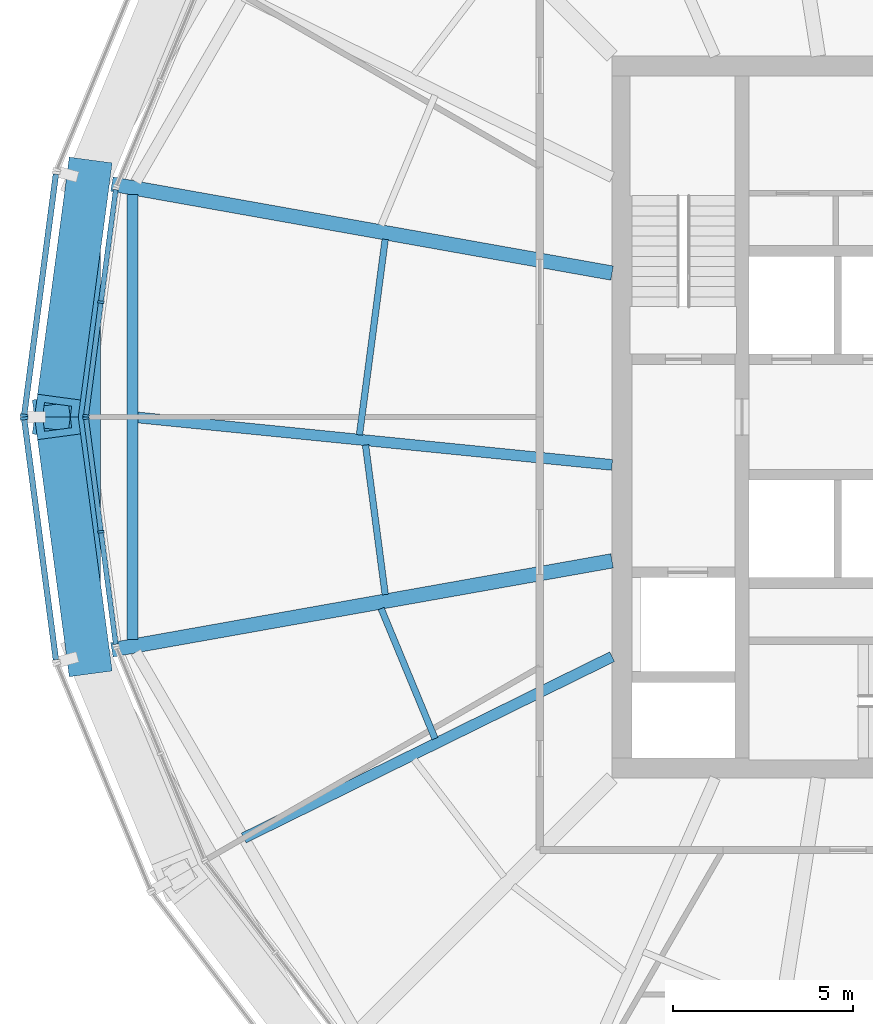
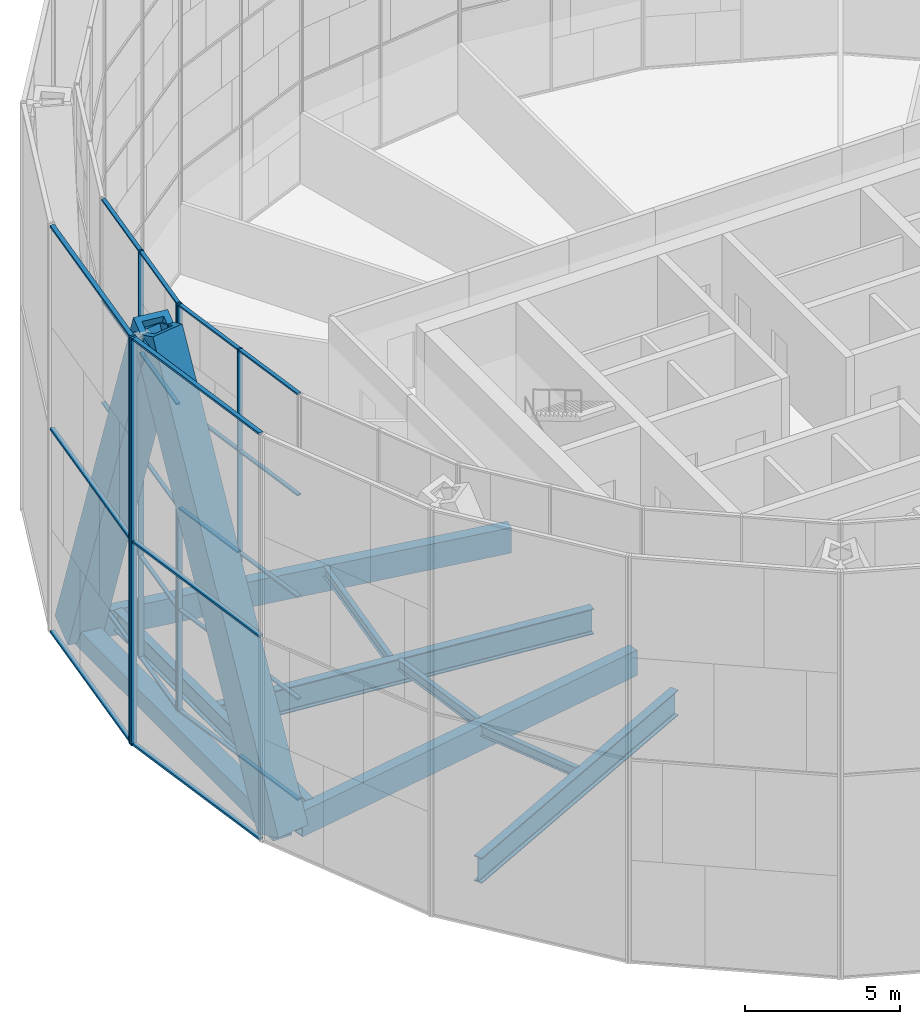
# One storey, part 4 of 30: 34 members, 9 beams, 4 elements without a shape of their own.
"""IFC4 building model written with IfcOpenShell, lengths in metres."""

from ifc_helpers import new_model, si_unit, direction, frame, origin, origin_2d, place, context, subcontext, project, spatial, rectangle, hollow_rectangle, i_section, extrude, material, material_profile, profile_set, type_object, element, aggregate, save


model = new_model("IFC4")

# Units and contexts
model_context = context("Model", 3, precision=1e-05, world=origin(), true_north=direction((0.0, 1.0)))
body_context = subcontext(model_context, "Body", "Model", "MODEL_VIEW")
ifc_project = project(units=[si_unit("LENGTHUNIT", "METRE"), si_unit("AREAUNIT", "SQUARE_METRE"), si_unit("VOLUMEUNIT", "CUBIC_METRE"), si_unit("PLANEANGLEUNIT", "RADIAN"), si_unit("MASSUNIT", "GRAM", prefix="KILO")], contexts=[model_context])

# Site, building, storey
site_placement = place(None, origin())
site = spatial("IfcSite", under=ifc_project, at=site_placement, CompositionType="ELEMENT")
building_placement = place(site_placement, origin())
building = spatial("IfcBuilding", under=site, at=building_placement, Name="Golbaran Civic Tower", CompositionType="ELEMENT")
storey_placement = place(building_placement, frame((0.0, 0.0, 102.0)))
storey = spatial("IfcBuildingStorey", under=building, at=storey_placement, Name="L24", CompositionType="ELEMENT", Elevation=102.0)

# Members
ifc_material_1 = material(Name="Steel S355", Category="steel")
ifc_material_profile_1 = material_profile(ifc_material_1, hollow_rectangle(XDim=1.199951171875, YDim=1.199951171875, WallThickness=0.219970703125, at=origin_2d()), Name="BOX 1200x1200x220")
ifc_profile_set_1 = profile_set([ifc_material_profile_1], Name="Steel S355")
member_type_1 = type_object("IfcMemberType", Name="DIAGRID DIAGONAL BOX 1200x1200x220", PredefinedType="BRACE", material=ifc_profile_set_1)
for number, where, z_axis, x_axis, name in (
    (1, (-24.51611328125, 6.569091796875, -0.7099609375), (-0.050637494414, -0.379315997273, 0.923880521697), (0.991206653617, -0.132322975426, 0.0), "Diagonal D05-05R L24-L28"),
    (2, (-24.51611328125, -6.569091796875, -0.7099609375), (-0.050637494414, 0.379315997273, 0.923880521697), (-0.991206653617, -0.132322975426, 0.0), "Diagonal D05-06L L24-L28"),
):
    element("IfcMember", number, at=place(storey_placement, frame(where, z_axis=z_axis, x_axis=x_axis)), inside=storey, type_object=member_type_1, Name=name, PredefinedType="BRACE", context=body_context, shape_type="SweptSolid", body=[
        extrude(hollow_rectangle(XDim=1.199951171875, YDim=1.199951171875, WallThickness=0.219970703125, at=origin_2d()), origin(), (0.0, 0.0, 1.0), 17.318359375),
    ])

# Beams
ifc_material_profile_2 = material_profile(ifc_material_1, hollow_rectangle(XDim=0.699951171875, YDim=0.699951171875, WallThickness=0.080078125, at=origin_2d()), Name="BOX 700x700x80")
ifc_profile_set_2 = profile_set([ifc_material_profile_2], Name="Steel S355")
beam_type_1 = type_object("IfcBeamType", Name="DIAGRID RING TIE BOX 700x700x80", PredefinedType="BEAM", material=ifc_profile_set_2)
beam_1_placement = place(storey_placement, frame((-24.51611328125, 6.569091796875, -0.7099609375), z_axis=(0.0, -1.0, 0.0), x_axis=(1.0, 0.0, 0.0)))
element("IfcBeam", 3, at=beam_1_placement, inside=storey, type_object=beam_type_1, Name="Ring tie 165.00 L24", PredefinedType="BEAM", context=body_context, shape_type="SweptSolid", body=[
    extrude(hollow_rectangle(XDim=0.699951171875, YDim=0.699951171875, WallThickness=0.080078125, at=origin_2d()), origin(), (0.0, 0.0, 1.0), 13.13818359375),
])
ifc_material_profile_3 = material_profile(ifc_material_1, i_section(OverallWidth=0.300048828125, OverallDepth=0.800048828125, WebThickness=0.017578125, FlangeThickness=0.032958984375, FilletRadius=0.030029296875, at=origin_2d()), Name="HEB 800")
ifc_profile_set_3 = profile_set([ifc_material_profile_3], Name="Steel S355")
beam_type_2 = type_object("IfcBeamType", Name="EDGE BEAM HEB 800", PredefinedType="BEAM", material=ifc_profile_set_3)
beam_2_placement = place(storey_placement, frame((-23.287353515625, 6.16748046875, -0.60009765625), z_axis=(0.0, -1.0, 0.0), x_axis=(1.0, 0.0, 0.0)))
element("IfcBeam", 4, at=beam_2_placement, inside=storey, type_object=beam_type_2, Name="Edge beam 165.00 L24", PredefinedType="BEAM", context=body_context, shape_type="SweptSolid", body=[
    extrude(i_section(OverallWidth=0.300048828125, OverallDepth=0.800048828125, WebThickness=0.017578125, FlangeThickness=0.032958984375, FilletRadius=0.030029296875, at=origin_2d()), origin(), (0.0, 0.0, 1.0), 12.3349609375),
])
ifc_material_profile_4 = material_profile(ifc_material_1, i_section(OverallWidth=0.179931640625, OverallDepth=0.39990234375, WebThickness=0.008544921875, FlangeThickness=0.013427734375, FilletRadius=0.02099609375, at=origin_2d()), Name="IPE 400")
ifc_profile_set_4 = profile_set([ifc_material_profile_4], Name="Steel S355")
beam_type_3 = type_object("IfcBeamType", Name="FLOOR INFILL BEAM IPE 400", PredefinedType="BEAM", material=ifc_profile_set_4)
beam_3_placement = place(storey_placement, frame((-16.2841796875, 4.92138671875, -0.39990234375), z_axis=(-0.13054578094, -0.991442282273, 0.0), x_axis=(0.991442282273, -0.13054578094, 0.0)))
element("IfcBeam", 5, at=beam_3_placement, inside=storey, type_object=beam_type_3, Name="Infill beam 172.50 L24", PredefinedType="BEAM", context=body_context, shape_type="SweptSolid", body=[
    extrude(i_section(OverallWidth=0.179931640625, OverallDepth=0.39990234375, WebThickness=0.008544921875, FlangeThickness=0.013427734375, FilletRadius=0.02099609375, at=origin_2d()), origin(), (0.0, 0.0, 1.0), 5.466552734375),
])
beam_4_placement = place(storey_placement, frame((-16.830078125, -0.7763671875, -0.39990234375), z_axis=(0.130572336197, -0.991438785312, 0.0), x_axis=(0.991438785312, 0.130572336197, 0.0)))
element("IfcBeam", 6, at=beam_4_placement, inside=storey, type_object=beam_type_3, Name="Infill beam 187.50 L24", PredefinedType="BEAM", context=body_context, shape_type="SweptSolid", body=[
    extrude(i_section(OverallWidth=0.179931640625, OverallDepth=0.39990234375, WebThickness=0.008544921875, FlangeThickness=0.013427734375, FilletRadius=0.02099609375, at=origin_2d()), origin(), (0.0, 0.0, 1.0), 4.180908203125),
])
beam_5_placement = place(storey_placement, frame((-16.39794921875, -5.30712890625, -0.39990234375), z_axis=(0.382690736062, -0.923876507187, 0.0), x_axis=(0.923876507187, 0.382690736062, 0.0)))
element("IfcBeam", 7, at=beam_5_placement, inside=storey, type_object=beam_type_3, Name="Infill beam 202.50 L24", PredefinedType="BEAM", context=body_context, shape_type="SweptSolid", body=[
    extrude(i_section(OverallWidth=0.179931640625, OverallDepth=0.39990234375, WebThickness=0.008544921875, FlangeThickness=0.013427734375, FilletRadius=0.02099609375, at=origin_2d()), origin(), (0.0, 0.0, 1.0), 3.90185546875),
])

# Curtain wall, members
ifc_material_2 = material(Name="Aluminium and glass", Category="aluminium")
curtain_wall_type_1 = type_object("IfcCurtainWallType", Name="INNER SKIN CURTAIN WALL", PredefinedType="NOTDEFINED", material=ifc_material_2)
curtain_wall_1_placement = place(storey_placement, origin())
curtain_wall_1 = element("IfcCurtainWall", 8, at=curtain_wall_1_placement, inside=storey, type_object=curtain_wall_type_1, Name="Inner skin L24 facet 12 CW1", ObjectType="INNER SKIN", PredefinedType="USERDEFINED")
ifc_material_3 = material(Name="Aluminium", Category="aluminium")
ifc_material_profile_5 = material_profile(ifc_material_3, rectangle(XDim=0.179931640625, YDim=0.06494140625, at=origin_2d()), Name="INNER SKIN CURTAIN WALL MULLION")
ifc_profile_set_5 = profile_set([ifc_material_profile_5], Name="Aluminium")
member_type_2 = type_object("IfcMemberType", Name="INNER SKIN CURTAIN WALL MULLION", PredefinedType="MULLION", material=ifc_profile_set_5)
member_1_placement = place(storey_placement, frame((-24.1591796875, 3.1806640625, 0.0), z_axis=(0.0, 0.0, 1.0), x_axis=(0.991444861385, -0.130526192134, 0.0)))
member_1 = element("IfcMember", 9, at=member_1_placement, type_object=member_type_2, Name="CW1 mullion 2", PredefinedType="MULLION", context=body_context, shape_type="SweptSolid", body=[
    extrude(rectangle(XDim=0.179931640625, YDim=0.06494140625, at=origin_2d()), origin(), (0.0, 0.0, 1.0), 16.0),
])
member_2_placement = place(storey_placement, frame((-24.57373046875, 0.0322265625, 0.0), z_axis=(0.0, 0.0, 1.0), x_axis=(0.991444861385, -0.130526192134, 0.0)))
member_2 = element("IfcMember", 10, at=member_2_placement, type_object=member_type_2, Name="CW1 mullion 3", PredefinedType="MULLION", context=body_context, shape_type="SweptSolid", body=[
    extrude(rectangle(XDim=0.179931640625, YDim=0.06494140625, at=origin_2d()), origin(), (0.0, 0.0, 1.0), 16.0),
])

curtain_wall_2_placement = place(storey_placement, origin())
curtain_wall_2 = element("IfcCurtainWall", 11, at=curtain_wall_2_placement, inside=storey, type_object=curtain_wall_type_1, Name="Inner skin L24 facet 13 CW1", ObjectType="INNER SKIN", PredefinedType="USERDEFINED")
member_3_placement = place(storey_placement, frame((-24.57373046875, -0.0322265625, 0.0), z_axis=(0.0, 0.0, 1.0), x_axis=(0.991444861385, 0.130526192134, 0.0)))
member_3 = element("IfcMember", 12, at=member_3_placement, type_object=member_type_2, Name="CW1 mullion 1", PredefinedType="MULLION", context=body_context, shape_type="SweptSolid", body=[
    extrude(rectangle(XDim=0.179931640625, YDim=0.06494140625, at=origin_2d()), origin(), (0.0, 0.0, 1.0), 16.0),
])
member_4_placement = place(storey_placement, frame((-24.1591796875, -3.1806640625, 0.0), z_axis=(0.0, 0.0, 1.0), x_axis=(0.991444861385, 0.130526192134, 0.0)))
member_4 = element("IfcMember", 13, at=member_4_placement, type_object=member_type_2, Name="CW1 mullion 2", PredefinedType="MULLION", context=body_context, shape_type="SweptSolid", body=[
    extrude(rectangle(XDim=0.179931640625, YDim=0.06494140625, at=origin_2d()), origin(), (0.0, 0.0, 1.0), 16.0),
])

# Member
ifc_material_profile_6 = material_profile(ifc_material_3, rectangle(XDim=0.139892578125, YDim=0.06494140625, at=origin_2d()), Name="INNER SKIN CURTAIN WALL TRANSOM")
ifc_profile_set_6 = profile_set([ifc_material_profile_6], Name="Aluminium")
member_type_3 = type_object("IfcMemberType", Name="INNER SKIN CURTAIN WALL TRANSOM", PredefinedType="USERDEFINED", material=ifc_profile_set_6)
member_5_placement = place(storey_placement, frame((-23.7490234375, 6.296875, 0.032470703125), z_axis=(-0.130523542167, -0.991445210256, 0.0), x_axis=(0.991445210256, -0.130523542167, 0.0)))
member_5 = element("IfcMember", 14, at=member_5_placement, type_object=member_type_3, Name="CW1 transom 1.1", ObjectType="TRANSOM", PredefinedType="USERDEFINED", context=body_context, shape_type="SweptSolid", body=[
    extrude(rectangle(XDim=0.139892578125, YDim=0.06494140625, at=origin_2d()), origin(), (0.0, 0.0, 1.0), 3.110595703125),
])

member_6_placement = place(storey_placement, frame((-23.7490234375, 6.296875, 4.0), z_axis=(-0.130523542167, -0.991445210256, 0.0), x_axis=(0.991445210256, -0.130523542167, 0.0)))
member_6 = element("IfcMember", 15, at=member_6_placement, type_object=member_type_3, Name="CW1 transom 1.2", ObjectType="TRANSOM", PredefinedType="USERDEFINED", context=body_context, shape_type="SweptSolid", body=[
    extrude(rectangle(XDim=0.139892578125, YDim=0.06494140625, at=origin_2d()), origin(), (0.0, 0.0, 1.0), 3.110595703125),
])

member_7_placement = place(storey_placement, frame((-23.7490234375, 6.296875, 8.0), z_axis=(-0.130523542167, -0.991445210256, 0.0), x_axis=(0.991445210256, -0.130523542167, 0.0)))
member_7 = element("IfcMember", 16, at=member_7_placement, type_object=member_type_3, Name="CW1 transom 1.3", ObjectType="TRANSOM", PredefinedType="USERDEFINED", context=body_context, shape_type="SweptSolid", body=[
    extrude(rectangle(XDim=0.139892578125, YDim=0.06494140625, at=origin_2d()), origin(), (0.0, 0.0, 1.0), 3.110595703125),
])

member_8_placement = place(storey_placement, frame((-23.7490234375, 6.296875, 12.0), z_axis=(-0.130523542167, -0.991445210256, 0.0), x_axis=(0.991445210256, -0.130523542167, 0.0)))
member_8 = element("IfcMember", 17, at=member_8_placement, type_object=member_type_3, Name="CW1 transom 1.4", ObjectType="TRANSOM", PredefinedType="USERDEFINED", context=body_context, shape_type="SweptSolid", body=[
    extrude(rectangle(XDim=0.139892578125, YDim=0.06494140625, at=origin_2d()), origin(), (0.0, 0.0, 1.0), 3.110595703125),
])

member_9_placement = place(storey_placement, frame((-23.7490234375, 6.296875, 15.967529296875), z_axis=(-0.130523542167, -0.991445210256, 0.0), x_axis=(0.991445210256, -0.130523542167, 0.0)))
member_9 = element("IfcMember", 18, at=member_9_placement, type_object=member_type_3, Name="CW1 transom 1.5", ObjectType="TRANSOM", PredefinedType="USERDEFINED", context=body_context, shape_type="SweptSolid", body=[
    extrude(rectangle(XDim=0.139892578125, YDim=0.06494140625, at=origin_2d()), origin(), (0.0, 0.0, 1.0), 3.110595703125),
])

member_10_placement = place(storey_placement, frame((-24.16357421875, 3.1484375, 0.032470703125), z_axis=(-0.130523542167, -0.991445210256, 0.0), x_axis=(0.991445210256, -0.130523542167, 0.0)))
member_10 = element("IfcMember", 19, at=member_10_placement, type_object=member_type_3, Name="CW1 transom 2.1", ObjectType="TRANSOM", PredefinedType="USERDEFINED", context=body_context, shape_type="SweptSolid", body=[
    extrude(rectangle(XDim=0.139892578125, YDim=0.06494140625, at=origin_2d()), origin(), (0.0, 0.0, 1.0), 3.110595703125),
])

member_11_placement = place(storey_placement, frame((-24.16357421875, 3.1484375, 4.0), z_axis=(-0.130523542167, -0.991445210256, 0.0), x_axis=(0.991445210256, -0.130523542167, 0.0)))
member_11 = element("IfcMember", 20, at=member_11_placement, type_object=member_type_3, Name="CW1 transom 2.2", ObjectType="TRANSOM", PredefinedType="USERDEFINED", context=body_context, shape_type="SweptSolid", body=[
    extrude(rectangle(XDim=0.139892578125, YDim=0.06494140625, at=origin_2d()), origin(), (0.0, 0.0, 1.0), 3.110595703125),
])

member_12_placement = place(storey_placement, frame((-24.16357421875, 3.1484375, 8.0), z_axis=(-0.130523542167, -0.991445210256, 0.0), x_axis=(0.991445210256, -0.130523542167, 0.0)))
member_12 = element("IfcMember", 21, at=member_12_placement, type_object=member_type_3, Name="CW1 transom 2.3", ObjectType="TRANSOM", PredefinedType="USERDEFINED", context=body_context, shape_type="SweptSolid", body=[
    extrude(rectangle(XDim=0.139892578125, YDim=0.06494140625, at=origin_2d()), origin(), (0.0, 0.0, 1.0), 3.110595703125),
])

member_13_placement = place(storey_placement, frame((-24.16357421875, 3.1484375, 12.0), z_axis=(-0.130523542167, -0.991445210256, 0.0), x_axis=(0.991445210256, -0.130523542167, 0.0)))
member_13 = element("IfcMember", 22, at=member_13_placement, type_object=member_type_3, Name="CW1 transom 2.4", ObjectType="TRANSOM", PredefinedType="USERDEFINED", context=body_context, shape_type="SweptSolid", body=[
    extrude(rectangle(XDim=0.139892578125, YDim=0.06494140625, at=origin_2d()), origin(), (0.0, 0.0, 1.0), 3.110595703125),
])

member_14_placement = place(storey_placement, frame((-24.16357421875, 3.1484375, 15.967529296875), z_axis=(-0.130523542167, -0.991445210256, 0.0), x_axis=(0.991445210256, -0.130523542167, 0.0)))
member_14 = element("IfcMember", 23, at=member_14_placement, type_object=member_type_3, Name="CW1 transom 2.5", ObjectType="TRANSOM", PredefinedType="USERDEFINED", context=body_context, shape_type="SweptSolid", body=[
    extrude(rectangle(XDim=0.139892578125, YDim=0.06494140625, at=origin_2d()), origin(), (0.0, 0.0, 1.0), 3.110595703125),
])

aggregate(curtain_wall_1, [member_1, member_2, member_5, member_6, member_7, member_8, member_9, member_10, member_11, member_12, member_13, member_14])

member_15_placement = place(storey_placement, frame((-24.569580078125, -0.064453125, 0.032470703125), z_axis=(0.130523542167, -0.991445210256, 0.0), x_axis=(0.991445210256, 0.130523542167, 0.0)))
member_15 = element("IfcMember", 24, at=member_15_placement, type_object=member_type_3, Name="CW1 transom 1.1", ObjectType="TRANSOM", PredefinedType="USERDEFINED", context=body_context, shape_type="SweptSolid", body=[
    extrude(rectangle(XDim=0.139892578125, YDim=0.06494140625, at=origin_2d()), origin(), (0.0, 0.0, 1.0), 3.110595703125),
])

member_16_placement = place(storey_placement, frame((-24.569580078125, -0.064453125, 4.0), z_axis=(0.130523542167, -0.991445210256, 0.0), x_axis=(0.991445210256, 0.130523542167, 0.0)))
member_16 = element("IfcMember", 25, at=member_16_placement, type_object=member_type_3, Name="CW1 transom 1.2", ObjectType="TRANSOM", PredefinedType="USERDEFINED", context=body_context, shape_type="SweptSolid", body=[
    extrude(rectangle(XDim=0.139892578125, YDim=0.06494140625, at=origin_2d()), origin(), (0.0, 0.0, 1.0), 3.110595703125),
])

member_17_placement = place(storey_placement, frame((-24.569580078125, -0.064453125, 8.0), z_axis=(0.130523542167, -0.991445210256, 0.0), x_axis=(0.991445210256, 0.130523542167, 0.0)))
member_17 = element("IfcMember", 26, at=member_17_placement, type_object=member_type_3, Name="CW1 transom 1.3", ObjectType="TRANSOM", PredefinedType="USERDEFINED", context=body_context, shape_type="SweptSolid", body=[
    extrude(rectangle(XDim=0.139892578125, YDim=0.06494140625, at=origin_2d()), origin(), (0.0, 0.0, 1.0), 3.110595703125),
])

member_18_placement = place(storey_placement, frame((-24.569580078125, -0.064453125, 12.0), z_axis=(0.130523542167, -0.991445210256, 0.0), x_axis=(0.991445210256, 0.130523542167, 0.0)))
member_18 = element("IfcMember", 27, at=member_18_placement, type_object=member_type_3, Name="CW1 transom 1.4", ObjectType="TRANSOM", PredefinedType="USERDEFINED", context=body_context, shape_type="SweptSolid", body=[
    extrude(rectangle(XDim=0.139892578125, YDim=0.06494140625, at=origin_2d()), origin(), (0.0, 0.0, 1.0), 3.110595703125),
])

member_19_placement = place(storey_placement, frame((-24.569580078125, -0.064453125, 15.967529296875), z_axis=(0.130523542167, -0.991445210256, 0.0), x_axis=(0.991445210256, 0.130523542167, 0.0)))
member_19 = element("IfcMember", 28, at=member_19_placement, type_object=member_type_3, Name="CW1 transom 1.5", ObjectType="TRANSOM", PredefinedType="USERDEFINED", context=body_context, shape_type="SweptSolid", body=[
    extrude(rectangle(XDim=0.139892578125, YDim=0.06494140625, at=origin_2d()), origin(), (0.0, 0.0, 1.0), 3.110595703125),
])

member_20_placement = place(storey_placement, frame((-24.155029296875, -3.212890625, 0.032470703125), z_axis=(0.130523542167, -0.991445210256, 0.0), x_axis=(0.991445210256, 0.130523542167, 0.0)))
member_20 = element("IfcMember", 29, at=member_20_placement, type_object=member_type_3, Name="CW1 transom 2.1", ObjectType="TRANSOM", PredefinedType="USERDEFINED", context=body_context, shape_type="SweptSolid", body=[
    extrude(rectangle(XDim=0.139892578125, YDim=0.06494140625, at=origin_2d()), origin(), (0.0, 0.0, 1.0), 3.110595703125),
])

member_21_placement = place(storey_placement, frame((-24.155029296875, -3.212890625, 4.0), z_axis=(0.130523542167, -0.991445210256, 0.0), x_axis=(0.991445210256, 0.130523542167, 0.0)))
member_21 = element("IfcMember", 30, at=member_21_placement, type_object=member_type_3, Name="CW1 transom 2.2", ObjectType="TRANSOM", PredefinedType="USERDEFINED", context=body_context, shape_type="SweptSolid", body=[
    extrude(rectangle(XDim=0.139892578125, YDim=0.06494140625, at=origin_2d()), origin(), (0.0, 0.0, 1.0), 3.110595703125),
])

member_22_placement = place(storey_placement, frame((-24.155029296875, -3.212890625, 8.0), z_axis=(0.130523542167, -0.991445210256, 0.0), x_axis=(0.991445210256, 0.130523542167, 0.0)))
member_22 = element("IfcMember", 31, at=member_22_placement, type_object=member_type_3, Name="CW1 transom 2.3", ObjectType="TRANSOM", PredefinedType="USERDEFINED", context=body_context, shape_type="SweptSolid", body=[
    extrude(rectangle(XDim=0.139892578125, YDim=0.06494140625, at=origin_2d()), origin(), (0.0, 0.0, 1.0), 3.110595703125),
])

member_23_placement = place(storey_placement, frame((-24.155029296875, -3.212890625, 12.0), z_axis=(0.130523542167, -0.991445210256, 0.0), x_axis=(0.991445210256, 0.130523542167, 0.0)))
member_23 = element("IfcMember", 32, at=member_23_placement, type_object=member_type_3, Name="CW1 transom 2.4", ObjectType="TRANSOM", PredefinedType="USERDEFINED", context=body_context, shape_type="SweptSolid", body=[
    extrude(rectangle(XDim=0.139892578125, YDim=0.06494140625, at=origin_2d()), origin(), (0.0, 0.0, 1.0), 3.110595703125),
])

member_24_placement = place(storey_placement, frame((-24.155029296875, -3.212890625, 15.967529296875), z_axis=(0.130523542167, -0.991445210256, 0.0), x_axis=(0.991445210256, 0.130523542167, 0.0)))
member_24 = element("IfcMember", 33, at=member_24_placement, type_object=member_type_3, Name="CW1 transom 2.5", ObjectType="TRANSOM", PredefinedType="USERDEFINED", context=body_context, shape_type="SweptSolid", body=[
    extrude(rectangle(XDim=0.139892578125, YDim=0.06494140625, at=origin_2d()), origin(), (0.0, 0.0, 1.0), 3.110595703125),
])

aggregate(curtain_wall_2, [member_3, member_4, member_15, member_16, member_17, member_18, member_19, member_20, member_21, member_22, member_23, member_24])

# Curtain wall, member
curtain_wall_type_2 = type_object("IfcCurtainWallType", Name="OUTER SKIN TERRACOTTA SCREEN", PredefinedType="NOTDEFINED", material=ifc_material_2)
curtain_wall_3_placement = place(storey_placement, origin())
curtain_wall_3 = element("IfcCurtainWall", 34, at=curtain_wall_3_placement, inside=storey, type_object=curtain_wall_type_2, Name="Outer skin L24 facet 12 CW3", ObjectType="OUTER SKIN", PredefinedType="USERDEFINED")
ifc_material_profile_7 = material_profile(ifc_material_3, rectangle(XDim=0.219970703125, YDim=0.080078125, at=origin_2d()), Name="OUTER SKIN TERRACOTTA SCREEN MULLION")
ifc_profile_set_7 = profile_set([ifc_material_profile_7], Name="Aluminium")
member_type_4 = type_object("IfcMemberType", Name="OUTER SKIN TERRACOTTA SCREEN MULLION", PredefinedType="MULLION", material=ifc_profile_set_7)
member_25_placement = place(storey_placement, frame((-26.287841796875, 0.03955078125, -0.7099609375), z_axis=(0.0, 0.0, 1.0), x_axis=(0.991444861381, -0.130526192168, 0.0)))
member_25 = element("IfcMember", 35, at=member_25_placement, type_object=member_type_4, Name="CW3 mullion 2", PredefinedType="MULLION", context=body_context, shape_type="SweptSolid", body=[
    extrude(rectangle(XDim=0.219970703125, YDim=0.080078125, at=origin_2d()), origin(), (0.0, 0.0, 1.0), 16.0),
])

curtain_wall_4_placement = place(storey_placement, origin())
curtain_wall_4 = element("IfcCurtainWall", 36, at=curtain_wall_4_placement, inside=storey, type_object=curtain_wall_type_2, Name="Outer skin L24 facet 13 CW3", ObjectType="OUTER SKIN", PredefinedType="USERDEFINED")
member_26_placement = place(storey_placement, frame((-26.287841796875, -0.03955078125, -0.7099609375), z_axis=(0.0, 0.0, 1.0), x_axis=(0.991444861381, 0.130526192168, 0.0)))
member_26 = element("IfcMember", 37, at=member_26_placement, type_object=member_type_4, Name="CW3 mullion 1", PredefinedType="MULLION", context=body_context, shape_type="SweptSolid", body=[
    extrude(rectangle(XDim=0.219970703125, YDim=0.080078125, at=origin_2d()), origin(), (0.0, 0.0, 1.0), 16.0),
])

# Member
ifc_material_profile_8 = material_profile(ifc_material_3, rectangle(XDim=0.159912109375, YDim=0.080078125, at=origin_2d()), Name="OUTER SKIN TERRACOTTA SCREEN TRANSOM")
ifc_profile_set_8 = profile_set([ifc_material_profile_8], Name="Aluminium")
member_type_5 = type_object("IfcMemberType", Name="OUTER SKIN TERRACOTTA SCREEN TRANSOM", PredefinedType="USERDEFINED", material=ifc_profile_set_8)
member_27_placement = place(storey_placement, frame((-25.407470703125, 6.725830078125, -0.669921875), z_axis=(-0.1305223406, -0.991445368442, 0.0), x_axis=(0.991445368442, -0.1305223406, 0.0)))
member_27 = element("IfcMember", 38, at=member_27_placement, type_object=member_type_5, Name="CW3 transom 1.1", ObjectType="TRANSOM", PredefinedType="USERDEFINED", context=body_context, shape_type="SweptSolid", body=[
    extrude(rectangle(XDim=0.159912109375, YDim=0.080078125, at=origin_2d()), origin(), (0.0, 0.0, 1.0), 6.703857421875),
])

member_28_placement = place(storey_placement, frame((-25.407470703125, 6.725830078125, 7.2900390625), z_axis=(-0.1305223406, -0.991445368442, 0.0), x_axis=(0.991445368442, -0.1305223406, 0.0)))
member_28 = element("IfcMember", 39, at=member_28_placement, type_object=member_type_5, Name="CW3 transom 1.2", ObjectType="TRANSOM", PredefinedType="USERDEFINED", context=body_context, shape_type="SweptSolid", body=[
    extrude(rectangle(XDim=0.159912109375, YDim=0.080078125, at=origin_2d()), origin(), (0.0, 0.0, 1.0), 6.703857421875),
])

member_29_placement = place(storey_placement, frame((-25.407470703125, 6.725830078125, 15.25), z_axis=(-0.1305223406, -0.991445368442, 0.0), x_axis=(0.991445368442, -0.1305223406, 0.0)))
member_29 = element("IfcMember", 40, at=member_29_placement, type_object=member_type_5, Name="CW3 transom 1.3", ObjectType="TRANSOM", PredefinedType="USERDEFINED", context=body_context, shape_type="SweptSolid", body=[
    extrude(rectangle(XDim=0.159912109375, YDim=0.080078125, at=origin_2d()), origin(), (0.0, 0.0, 1.0), 6.703857421875),
])

aggregate(curtain_wall_3, [member_25, member_27, member_28, member_29])

member_30_placement = place(storey_placement, frame((-26.282470703125, -0.079345703125, -0.669921875), z_axis=(0.1305223406, -0.991445368442, 0.0), x_axis=(0.991445368442, 0.1305223406, 0.0)))
member_30 = element("IfcMember", 41, at=member_30_placement, type_object=member_type_5, Name="CW3 transom 1.1", ObjectType="TRANSOM", PredefinedType="USERDEFINED", context=body_context, shape_type="SweptSolid", body=[
    extrude(rectangle(XDim=0.159912109375, YDim=0.080078125, at=origin_2d()), origin(), (0.0, 0.0, 1.0), 6.703857421875),
])

member_31_placement = place(storey_placement, frame((-26.282470703125, -0.079345703125, 7.2900390625), z_axis=(0.1305223406, -0.991445368442, 0.0), x_axis=(0.991445368442, 0.1305223406, 0.0)))
member_31 = element("IfcMember", 42, at=member_31_placement, type_object=member_type_5, Name="CW3 transom 1.2", ObjectType="TRANSOM", PredefinedType="USERDEFINED", context=body_context, shape_type="SweptSolid", body=[
    extrude(rectangle(XDim=0.159912109375, YDim=0.080078125, at=origin_2d()), origin(), (0.0, 0.0, 1.0), 6.703857421875),
])

member_32_placement = place(storey_placement, frame((-26.282470703125, -0.079345703125, 15.25), z_axis=(0.1305223406, -0.991445368442, 0.0), x_axis=(0.991445368442, 0.1305223406, 0.0)))
member_32 = element("IfcMember", 43, at=member_32_placement, type_object=member_type_5, Name="CW3 transom 1.3", ObjectType="TRANSOM", PredefinedType="USERDEFINED", context=body_context, shape_type="SweptSolid", body=[
    extrude(rectangle(XDim=0.159912109375, YDim=0.080078125, at=origin_2d()), origin(), (0.0, 0.0, 1.0), 6.703857421875),
])

aggregate(curtain_wall_4, [member_26, member_30, member_31, member_32])

# Beams
ifc_material_profile_9 = material_profile(ifc_material_1, hollow_rectangle(XDim=0.39990234375, YDim=1.0, WallThickness=0.0400390625, at=origin_2d()), Name="BOX 1000x400x40")
ifc_profile_set_9 = profile_set([ifc_material_profile_9], Name="Steel S355")
beam_type_4 = type_object("IfcBeamType", Name="RADIAL FLOOR BEAM BOX 1000x400x40", PredefinedType="BEAM", material=ifc_profile_set_9)
for number, where, z_axis, x_axis, name in (
    (44, (-10.0, 3.985595703125, -0.7099609375), (-0.984530539331, 0.175213062084, 0.0), (-0.175213062084, -0.984530539331, 0.0), "Radial beam 165.00 L24"),
    (45, (-10.0, -3.985595703125, -0.7099609375), (-0.984530539331, -0.175213062084, 0.0), (0.175213062084, -0.984530539331, 0.0), "Radial beam 195.00 L24"),
):
    element("IfcBeam", number, at=place(storey_placement, frame(where, z_axis=z_axis, x_axis=x_axis)), inside=storey, type_object=beam_type_4, Name=name, PredefinedType="BEAM", context=body_context, shape_type="SweptSolid", body=[
        extrude(hollow_rectangle(XDim=0.39990234375, YDim=1.0, WallThickness=0.0400390625, at=origin_2d()), origin(), (0.0, 0.0, 1.0), 14.07470703125),
    ])
ifc_material_profile_10 = material_profile(ifc_material_1, i_section(OverallWidth=0.300048828125, OverallDepth=1.0, WebThickness=0.01904296875, FlangeThickness=0.035888671875, FilletRadius=0.030029296875, at=origin_2d()), Name="HEB 1000")
ifc_profile_set_10 = profile_set([ifc_material_profile_10], Name="Steel S355")
beam_type_5 = type_object("IfcBeamType", Name="SECONDARY FLOOR BEAM HEB 1000", PredefinedType="BEAM", material=ifc_profile_set_10)
beam_6_placement = place(storey_placement, frame((-10.0, -1.32861328125, -0.7099609375), z_axis=(-0.995038095255, 0.099494668156, 0.0), x_axis=(-0.099494668156, -0.995038095255, 0.0)))
element("IfcBeam", 46, at=beam_6_placement, inside=storey, type_object=beam_type_5, Name="Secondary beam 180.00 L24", PredefinedType="BEAM", context=body_context, shape_type="SweptSolid", body=[
    extrude(i_section(OverallWidth=0.300048828125, OverallDepth=1.0, WebThickness=0.01904296875, FlangeThickness=0.035888671875, FilletRadius=0.030029296875, at=origin_2d()), origin(), (0.0, 0.0, 1.0), 13.353515625),
])
beam_7_placement = place(storey_placement, frame((-10.0, -6.642822265625, -0.7099609375), z_axis=(-0.897226029709, -0.441571570204, 0.0), x_axis=(0.441571570204, -0.897226029709, 0.0)))
element("IfcBeam", 47, at=beam_7_placement, inside=storey, type_object=beam_type_5, Name="Secondary beam 210.00 L24", PredefinedType="BEAM", context=body_context, shape_type="SweptSolid", body=[
    extrude(i_section(OverallWidth=0.300048828125, OverallDepth=1.0, WebThickness=0.01904296875, FlangeThickness=0.035888671875, FilletRadius=0.030029296875, at=origin_2d()), origin(), (0.0, 0.0, 1.0), 11.372314453125),
])

save(model, "model.ifc")
